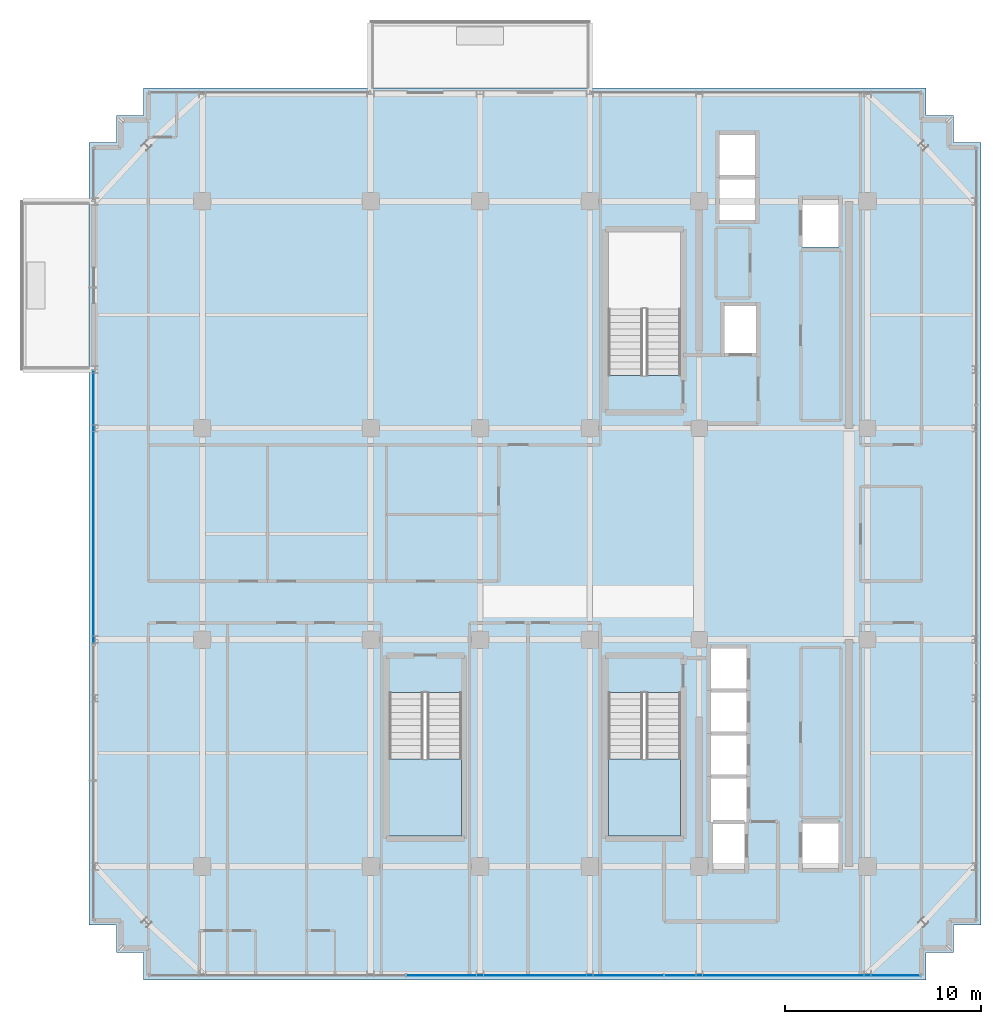
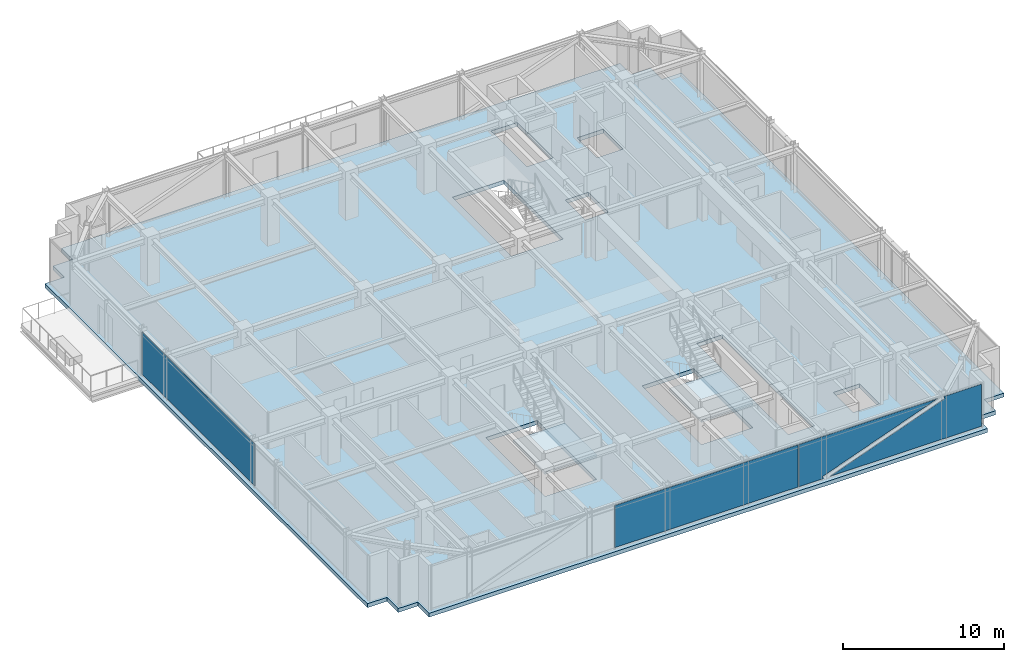
# One storey, part 26 of 36: 3 plates, 3 slabs, 4 elements without a shape of their own.
"""IFC4 building model written with IfcOpenShell, lengths in metres."""

from ifc_helpers import new_model, si_unit, direction, frame, origin, origin_2d, place, context, subcontext, project, spatial, polyline, rectangle, outline, extrude, source, transform, mapped, material, layer, layer_set, type_object, element, aggregate, save


model = new_model("IFC4")

# Units and contexts
model_context = context("Model", 3, precision=1e-05, world=origin(), true_north=direction((0.0, 1.0)))
body_context = subcontext(model_context, "Body", "Model", "MODEL_VIEW")
ifc_project = project(units=[si_unit("LENGTHUNIT", "METRE"), si_unit("AREAUNIT", "SQUARE_METRE"), si_unit("VOLUMEUNIT", "CUBIC_METRE"), si_unit("PLANEANGLEUNIT", "RADIAN"), si_unit("MASSUNIT", "GRAM", prefix="KILO")], contexts=[model_context])

# Site, building, storey
site_placement = place(None, origin())
site = spatial("IfcSite", under=ifc_project, at=site_placement, CompositionType="ELEMENT")
building_placement = place(site_placement, origin())
building = spatial("IfcBuilding", under=site, at=building_placement, Name="Nahalor Promenade Grand Hotel", CompositionType="ELEMENT")
storey_placement = place(building_placement, frame((0.0, 0.0, 273.800048828125)))
storey = spatial("IfcBuildingStorey", under=building, at=storey_placement, Name="L70", CompositionType="ELEMENT", Elevation=273.800048828125)

# Curtain wall, plate
ifc_material_1 = material(Name="Anodised Bronze Aluminium EN AW-6063 T6", Category="aluminium")
curtain_wall_type = type_object("IfcCurtainWallType", Name="CW2 Typical Hotel Flush Bronze Unitised Curtain Wall", PredefinedType="USERDEFINED", material=ifc_material_1)
curtain_wall_1_placement = place(storey_placement, origin())
curtain_wall_1 = element("IfcCurtainWall", 1, at=curtain_wall_1_placement, inside=storey, type_object=curtain_wall_type, Name="L70 Curtain Wall CW-L70-S-1", ObjectType="UNITISED_CURTAIN_WALL", PredefinedType="USERDEFINED")
ifc_material_2 = material(Name="Low-E Laminated Solar Glass", Category="glass")
ifc_layer_1 = layer(ifc_material_2, 0.028076171875)
ifc_layer_set_1 = layer_set([ifc_layer_1], Name="Low-E Laminated Solar Glass")
plate_type = type_object("IfcPlateType", Name="CWP2 Bronze Low-E Vision IGU 28mm", PredefinedType="CURTAIN_PANEL", material=ifc_layer_set_1)
plate_1_placement = place(storey_placement, frame((13.156982421875, -22.56005859375, 0.1298828125), z_axis=(0.0, 0.0, 1.0), x_axis=(1.0, 0.0, 0.0)))
plate_1 = element("IfcPlate", 2, at=plate_1_placement, type_object=plate_type, Name="CW-L70-S-1 Glazing Panel 2-0", PredefinedType="CURTAIN_PANEL", context=body_context, shape_type="SweptSolid", body=[
    extrude(outline(polyline([(-6.537841796875, 3.18994140625), (-6.537841796875, 0.0), (-4.7763671875, 0.0), (-4.8408203125, 0.17578125), (3.388671875, 3.18994140625), (-6.537841796875, 3.18994140625)])), frame((0.0, 0.01416015625, 0.0), z_axis=(0.0, -1.0, 0.0), x_axis=(1.0, 0.0, 0.0)), (0.0, 0.0, 1.0), 0.028076171875),
    extrude(outline(polyline([(6.537841796875, 0.0), (6.537841796875, 3.18994140625), (3.8623046875, 3.18994140625), (3.926513671875, 3.01416015625), (-4.302978515625, 0.0), (6.537841796875, 0.0)])), frame((0.0, 0.01416015625, 0.0), z_axis=(0.0, -1.0, 0.0), x_axis=(1.0, 0.0, 0.0)), (0.0, 0.0, 1.0), 0.028076171875),
])

# Stair, slab
ifc_material_3 = material(Name="Concrete B-50 (C40/50)", Category="concrete")
stair_type_1 = type_object("IfcStairType", Name="Stair-ST2", PredefinedType="HALF_TURN_STAIR", material=ifc_material_3)
stair_1_placement = place(storey_placement, origin())
stair_1 = element("IfcStair", 3, at=stair_1_placement, inside=storey, type_object=stair_type_1, Name="L70 ST2", PredefinedType="HALF_TURN_STAIR")
ifc_layer_2 = layer(ifc_material_3, 0.2099609375)
ifc_layer_set_2 = layer_set([ifc_layer_2], Name="Concrete B-50 (C40/50)")
slab_type_1 = type_object("IfcSlabType", Name="Landing-ST2", PredefinedType="LANDING", material=ifc_layer_set_2)
slab_1_placement = place(storey_placement, frame((0.0, 0.0, 1.6650390625)))
slab_1 = element("IfcSlab", 4, at=slab_1_placement, type_object=slab_type_1, Name="ST2 landing 1", PredefinedType="LANDING", context=body_context, shape_type="SweptSolid", body=[
    extrude(outline(polyline([(3.75, -11.5), (3.75, -15.449951171875), (7.449951171875, -15.449951171875), (7.449951171875, -11.5), (3.75, -11.5)])), origin(), (0.0, 0.0, 1.0), 0.2099609375),
])
aggregate(stair_1, [slab_1])

stair_type_2 = type_object("IfcStairType", Name="Stair-ST3", PredefinedType="HALF_TURN_STAIR", material=ifc_material_3)
stair_2_placement = place(storey_placement, origin())
stair_2 = element("IfcStair", 5, at=stair_2_placement, inside=storey, type_object=stair_type_2, Name="L70 ST3", PredefinedType="HALF_TURN_STAIR")
ifc_layer_3 = layer(ifc_material_3, 0.219970703125)
ifc_layer_set_3 = layer_set([ifc_layer_3], Name="Concrete B-50 (C40/50)")
slab_type_2 = type_object("IfcSlabType", Name="Landing-ST3", PredefinedType="LANDING", material=ifc_layer_set_3)
slab_2_placement = place(storey_placement, frame((0.0, 0.0, 1.655029296875)))
slab_2 = element("IfcSlab", 6, at=slab_2_placement, type_object=slab_type_2, Name="ST3 landing 1", PredefinedType="LANDING", context=body_context, shape_type="SweptSolid", body=[
    extrude(outline(polyline([(-7.449951171875, -11.5), (-7.449951171875, -15.449951171875), (-3.75, -15.449951171875), (-3.75, -11.5), (-7.449951171875, -11.5)])), origin(), (0.0, 0.0, 1.0), 0.219970703125),
])
aggregate(stair_2, [slab_2])

# Slab
ifc_layer_4 = layer(ifc_material_3, 0.300048828125)
ifc_layer_set_4 = layer_set([ifc_layer_4], Name="Concrete B-50 (C40/50)")
slab_type_3 = type_object("IfcSlabType", Name="Slab-TowerZ5-300", PredefinedType="FLOOR", material=ifc_layer_set_4)
slab_3_placement = place(storey_placement, frame((0.0, 0.0, -0.300048828125)))
element("IfcSlab", 7, at=slab_3_placement, inside=storey, type_object=slab_type_3, Name="L70 Suspended Structural Floor Slab", PredefinedType="FLOOR", context=body_context, shape_type="SweptSolid", body=[
    extrude(outline(polyline([(-20.0, -22.800048828125), (20.0, -22.800048828125), (20.0, -21.39990234375), (21.39990234375, -21.39990234375), (21.39990234375, -20.0), (22.800048828125, -20.0), (22.800048828125, 20.0), (21.39990234375, 20.0), (21.39990234375, 21.39990234375), (20.0, 21.39990234375), (20.0, 22.800048828125), (-20.0, 22.800048828125), (-20.0, 21.39990234375), (-21.39990234375, 21.39990234375), (-21.39990234375, 20.0), (-22.800048828125, 20.0), (-22.800048828125, -20.0), (-21.39990234375, -20.0), (-21.39990234375, -21.39990234375), (-20.0, -21.39990234375), (-20.0, -22.800048828125)]), holes=[polyline([(3.75, 8.10009765625), (7.449951171875, 8.10009765625), (7.449951171875, 15.449951171875), (3.75, 15.449951171875), (3.75, 8.10009765625)]), polyline([(3.75, -15.449951171875), (7.449951171875, -15.449951171875), (7.449951171875, -8.10009765625), (3.75, -8.10009765625), (3.75, -15.449951171875)]), polyline([(-7.449951171875, -15.449951171875), (-3.75, -15.449951171875), (-3.75, -8.10009765625), (-7.449951171875, -8.10009765625), (-7.449951171875, -15.449951171875)]), polyline([(8.9599609375, -17.18994140625), (10.840087890625, -17.18994140625), (10.840087890625, -5.81005859375), (8.9599609375, -5.81005859375), (8.9599609375, -17.18994140625)]), polyline([(9.409912109375, 16.010009765625), (11.2900390625, 16.010009765625), (11.2900390625, 20.43994140625), (9.409912109375, 20.43994140625), (9.409912109375, 16.010009765625)]), polyline([(9.659912109375, 9.2099609375), (11.340087890625, 9.2099609375), (11.340087890625, 11.68994140625), (9.659912109375, 11.68994140625), (9.659912109375, 9.2099609375)]), polyline([(13.659912109375, 14.659912109375), (15.5400390625, 14.659912109375), (15.5400390625, 17.139892578125), (13.659912109375, 17.139892578125), (13.659912109375, 14.659912109375)]), polyline([(13.659912109375, -17.139892578125), (15.5400390625, -17.139892578125), (15.5400390625, -14.659912109375), (13.659912109375, -14.659912109375), (13.659912109375, -17.139892578125)])]), origin(), (0.0, 0.0, 1.0), 0.300048828125),
])

# Plate
shared_shape_1 = source(origin(), body_context, "Body", "SweptSolid", [
    extrude(rectangle(XDim=13.1083984375, YDim=0.028076171875, at=origin_2d()), origin(), (0.0, 0.0, 1.0), 3.18994140625),
])
plate_2_placement = place(storey_placement, frame((0.0, -22.56005859375, 0.1298828125), z_axis=(0.0, 0.0, 1.0), x_axis=(1.0, 0.0, 0.0)))
plate_2 = element("IfcPlate", 8, at=plate_2_placement, type_object=plate_type, Name="CW-L70-S-1 Glazing Panel 1-0", PredefinedType="CURTAIN_PANEL", context=body_context, shape_type="MappedRepresentation", body=[
    mapped(shared_shape_1, transform((0.0, 0.0, 0.0), scale=1.0)),
])

aggregate(curtain_wall_1, [plate_2, plate_1])

# Curtain wall, plate
curtain_wall_2_placement = place(storey_placement, origin())
curtain_wall_2 = element("IfcCurtainWall", 9, at=curtain_wall_2_placement, inside=storey, type_object=curtain_wall_type, Name="L70 Curtain Wall CW-L70-W-1", ObjectType="UNITISED_CURTAIN_WALL", PredefinedType="USERDEFINED")
shared_shape_2 = source(origin(), body_context, "Body", "SweptSolid", [
    extrude(rectangle(XDim=13.982421875, YDim=0.028076171875, at=origin_2d()), origin(), (0.0, 0.0, 1.0), 3.18994140625),
])
plate_3_placement = place(storey_placement, frame((-22.56005859375, 1.34375, 0.1298828125), z_axis=(0.0, 0.0, 1.0), x_axis=(0.0, 1.0, 0.0)))
plate_3 = element("IfcPlate", 10, at=plate_3_placement, type_object=plate_type, Name="CW-L70-W-1 Glazing Panel 1-0", PredefinedType="CURTAIN_PANEL", context=body_context, shape_type="MappedRepresentation", body=[
    mapped(shared_shape_2, transform((0.0, 0.0, 0.0), scale=1.0)),
])
aggregate(curtain_wall_2, [plate_3])

save(model, "model.ifc")
